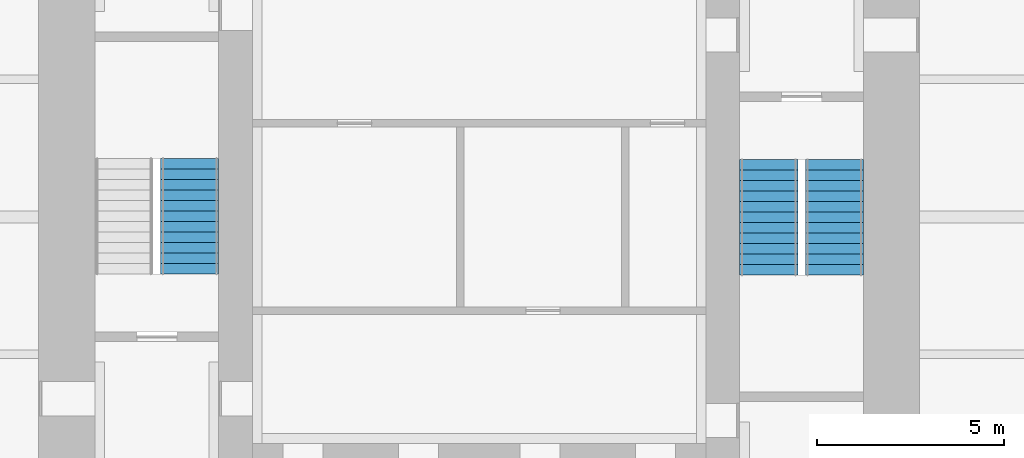
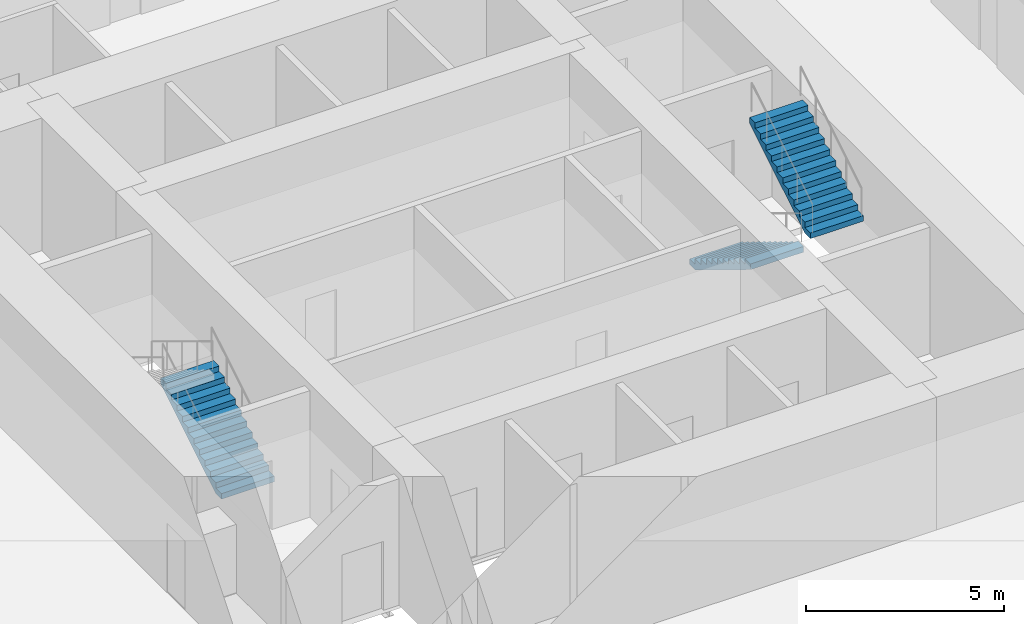
# One storey, part 11 of 12: 3 stair flights, 2 elements without a shape of their own.
"""IFC4 building model written with IfcOpenShell, lengths in metres."""

from ifc_helpers import new_model, si_unit, direction, frame, origin, place, context, subcontext, project, spatial, polyline, outline, extrude, material, type_object, element, aggregate, save


model = new_model("IFC4")

# Units and contexts
model_context = context("Model", 3, precision=1e-05, world=origin(), true_north=direction((0.0, 1.0)))
body_context = subcontext(model_context, "Body", "Model", "MODEL_VIEW")
ifc_project = project(units=[si_unit("LENGTHUNIT", "METRE"), si_unit("AREAUNIT", "SQUARE_METRE"), si_unit("VOLUMEUNIT", "CUBIC_METRE"), si_unit("PLANEANGLEUNIT", "RADIAN"), si_unit("MASSUNIT", "GRAM", prefix="KILO")], contexts=[model_context])

# Site, building, storey
site_placement = place(None, origin())
site = spatial("IfcSite", under=ifc_project, at=site_placement, CompositionType="ELEMENT")
building_placement = place(site_placement, origin())
building = spatial("IfcBuilding", under=site, at=building_placement, Name="Trevanion Tower", CompositionType="ELEMENT")
storey_placement = place(building_placement, frame((0.0, 0.0, 150.0)))
storey = spatial("IfcBuildingStorey", under=building, at=storey_placement, Name="L35", CompositionType="ELEMENT", Elevation=150.0)

# Stair, stair flights
ifc_material_1 = material(Name="Concrete 5,000 psi on steel stringers", Category="concrete")
stair_type = type_object("IfcStairType", Name="ST stair", PredefinedType="HALF_TURN_STAIR", material=ifc_material_1)
stair_1_placement = place(storey_placement, origin())
stair_1 = element("IfcStair", 1, at=stair_1_placement, inside=storey, type_object=stair_type, Name="ST1 L35", PredefinedType="HALF_TURN_STAIR")
ifc_material_2 = material(Name="Concrete 5,000 psi in steel pan", Category="concrete")
stair_flight_type = type_object("IfcStairFlightType", Name="STF stair flight", PredefinedType="STRAIGHT", material=ifc_material_2)
stair_flight_1_placement = place(storey_placement, frame((7.72509765625, 1.52490234375, 0.0), z_axis=(0.0, 0.0, 1.0), x_axis=(0.0, -1.0, 0.0)))
stair_flight_1 = element("IfcStairFlight", 2, at=stair_flight_1_placement, type_object=stair_flight_type, Name="ST1 flight 1", NumberOfRisers=12, NumberOfTreads=11, PredefinedType="STRAIGHT", RiserHeight=0.170833333, TreadLength=0.28, context=body_context, shape_type="SweptSolid", body=[
    extrude(outline(polyline([(0.0, 0.0), (0.0, 0.1708984375), (0.280029296875, 0.1708984375), (0.280029296875, 0.341552734375), (0.56005859375, 0.341552734375), (0.56005859375, 0.512451171875), (0.840087890625, 0.512451171875), (0.840087890625, 0.683349609375), (1.1201171875, 0.683349609375), (1.1201171875, 0.854248046875), (1.39990234375, 0.854248046875), (1.39990234375, 1.02490234375), (1.679931640625, 1.02490234375), (1.679931640625, 1.19580078125), (1.9599609375, 1.19580078125), (1.9599609375, 1.36669921875), (2.239990234375, 1.36669921875), (2.239990234375, 1.53759765625), (2.52001953125, 1.53759765625), (2.52001953125, 1.708251953125), (2.800048828125, 1.708251953125), (2.800048828125, 1.879150390625), (3.080078125, 1.879150390625), (3.080078125, 2.050048828125), (3.080078125, 1.70361328125), (0.287841796875, 0.0), (0.0, 0.0)])), frame((0.0, 0.77490234375, 0.0), z_axis=(0.0, -1.0, 0.0), x_axis=(1.0, 0.0, 0.0)), (0.0, 0.0, 1.0), 1.550048828125),
])
stair_flight_2_placement = place(storey_placement, frame((9.47509765625, -1.554931640625, 2.050048828125), z_axis=(0.0, 0.0, 1.0), x_axis=(0.0, 1.0, 0.0)))
stair_flight_2 = element("IfcStairFlight", 3, at=stair_flight_2_placement, type_object=stair_flight_type, Name="ST1 flight 2", NumberOfRisers=12, NumberOfTreads=11, PredefinedType="STRAIGHT", RiserHeight=0.170833333, TreadLength=0.28, context=body_context, shape_type="SweptSolid", body=[
    extrude(outline(polyline([(0.0, 0.0), (0.0, 0.1708984375), (0.280029296875, 0.1708984375), (0.280029296875, 0.341552734375), (0.56005859375, 0.341552734375), (0.56005859375, 0.512451171875), (0.840087890625, 0.512451171875), (0.840087890625, 0.683349609375), (1.1201171875, 0.683349609375), (1.1201171875, 0.854248046875), (1.39990234375, 0.854248046875), (1.39990234375, 1.02490234375), (1.679931640625, 1.02490234375), (1.679931640625, 1.19580078125), (1.9599609375, 1.19580078125), (1.9599609375, 1.36669921875), (2.239990234375, 1.36669921875), (2.239990234375, 1.53759765625), (2.52001953125, 1.53759765625), (2.52001953125, 1.708251953125), (2.800048828125, 1.708251953125), (2.800048828125, 1.879150390625), (3.080078125, 1.879150390625), (3.080078125, 2.050048828125), (3.080078125, 1.70361328125), (0.287841796875, 0.0), (0.0, 0.0)])), frame((0.0, 0.77490234375, 0.0), z_axis=(0.0, -1.0, 0.0), x_axis=(1.0, 0.0, 0.0)), (0.0, 0.0, 1.0), 1.550048828125),
])
aggregate(stair_1, [stair_flight_1, stair_flight_2])

# Stair, stair flight
stair_2_placement = place(storey_placement, origin())
stair_2 = element("IfcStair", 4, at=stair_2_placement, inside=storey, type_object=stair_type, Name="ST2 L35", PredefinedType="HALF_TURN_STAIR")
stair_flight_3_placement = place(storey_placement, frame((-7.72509765625, -1.52490234375, 0.0), z_axis=(0.0, 0.0, 1.0), x_axis=(0.0, 1.0, 0.0)))
stair_flight_3 = element("IfcStairFlight", 5, at=stair_flight_3_placement, type_object=stair_flight_type, Name="ST2 flight 1", NumberOfRisers=12, NumberOfTreads=11, PredefinedType="STRAIGHT", RiserHeight=0.170833333, TreadLength=0.28, context=body_context, shape_type="SweptSolid", body=[
    extrude(outline(polyline([(0.0, 0.0), (0.0, 0.1708984375), (0.280029296875, 0.1708984375), (0.280029296875, 0.341552734375), (0.56005859375, 0.341552734375), (0.56005859375, 0.512451171875), (0.840087890625, 0.512451171875), (0.840087890625, 0.683349609375), (1.1201171875, 0.683349609375), (1.1201171875, 0.854248046875), (1.39990234375, 0.854248046875), (1.39990234375, 1.02490234375), (1.679931640625, 1.02490234375), (1.679931640625, 1.19580078125), (1.9599609375, 1.19580078125), (1.9599609375, 1.36669921875), (2.239990234375, 1.36669921875), (2.239990234375, 1.53759765625), (2.52001953125, 1.53759765625), (2.52001953125, 1.708251953125), (2.800048828125, 1.708251953125), (2.800048828125, 1.879150390625), (3.080078125, 1.879150390625), (3.080078125, 2.050048828125), (3.080078125, 1.70361328125), (0.287841796875, 0.0), (0.0, 0.0)])), frame((0.0, 0.77490234375, 0.0), z_axis=(0.0, -1.0, 0.0), x_axis=(1.0, 0.0, 0.0)), (0.0, 0.0, 1.0), 1.550048828125),
])
aggregate(stair_2, [stair_flight_3])

save(model, "model.ifc")
